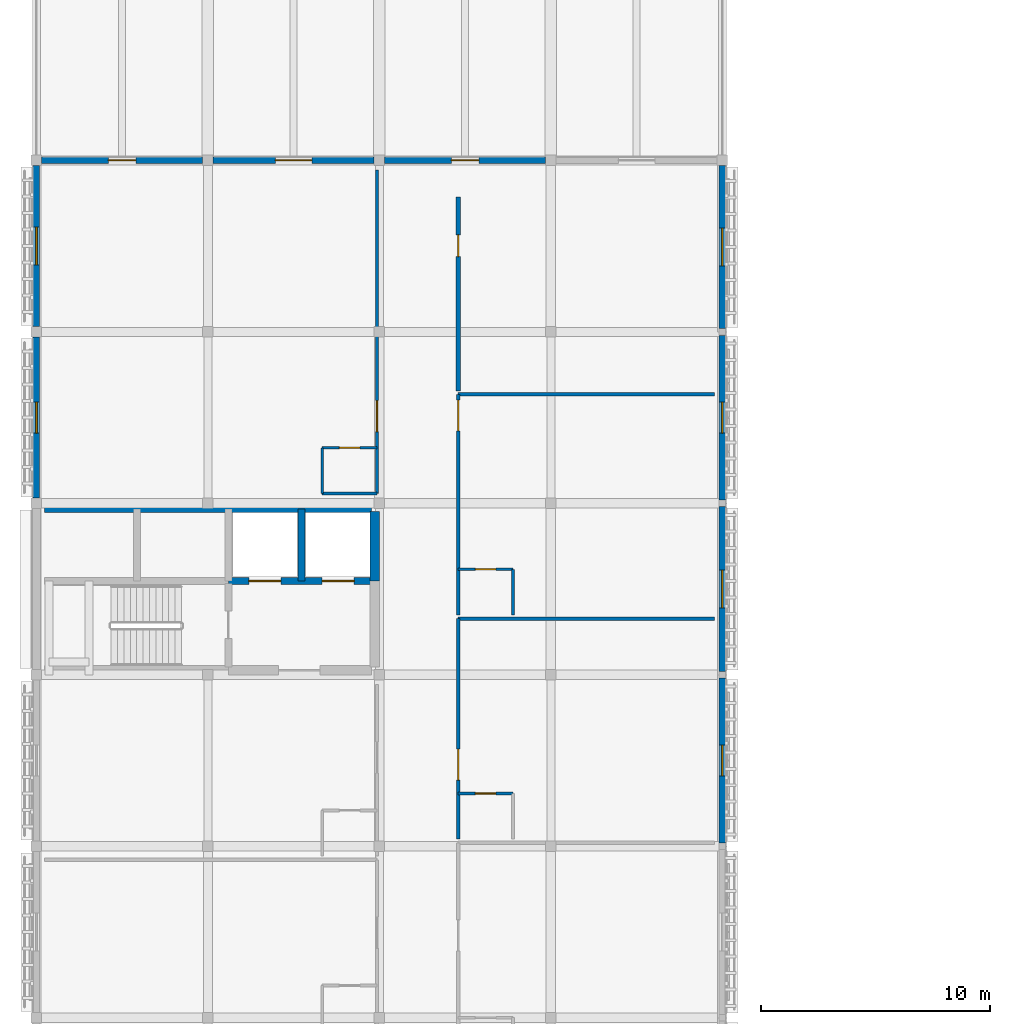
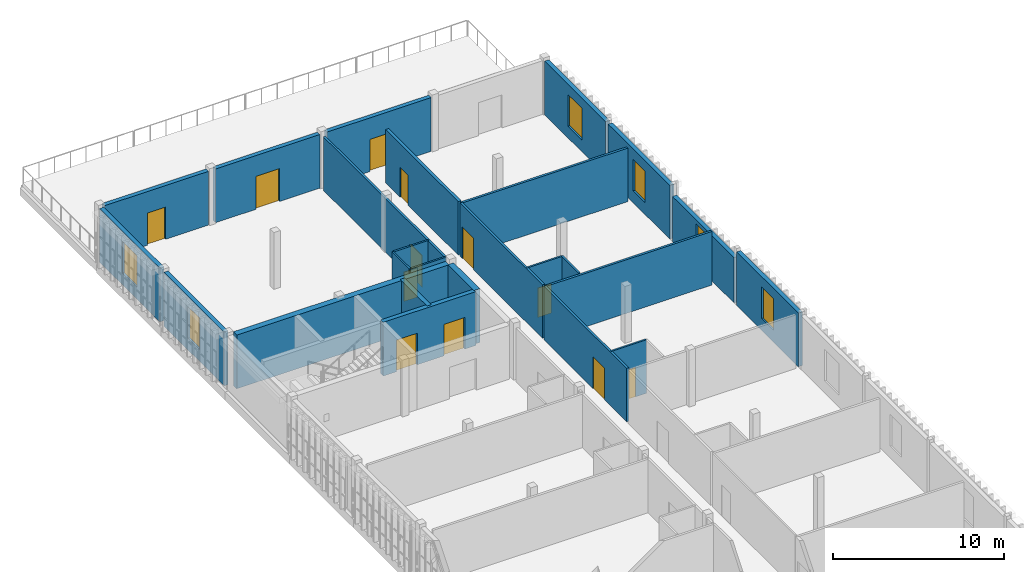
# One storey, part 5 of 13: 25 walls, 12 doors, 6 windows, 18 openings.
"""IFC4 building model written with IfcOpenShell, lengths in metres."""

from ifc_helpers import new_model, si_unit, direction, frame, frame_2d, origin, place, context, subcontext, project, spatial, rectangle, extrude, material, layer, layer_set, type_object, element, fill, save


model = new_model("IFC4")

# Units and contexts
model_context = context("Model", 3, precision=1e-05, world=origin(), true_north=direction((0.0, 1.0)))
body_context = subcontext(model_context, "Body", "Model", "MODEL_VIEW")
ifc_project = project(units=[si_unit("LENGTHUNIT", "METRE"), si_unit("AREAUNIT", "SQUARE_METRE"), si_unit("VOLUMEUNIT", "CUBIC_METRE"), si_unit("PLANEANGLEUNIT", "RADIAN"), si_unit("MASSUNIT", "GRAM", prefix="KILO")], contexts=[model_context])

# Site, building, storey
site_placement = place(None, origin())
site = spatial("IfcSite", under=ifc_project, at=site_placement, CompositionType="ELEMENT")
building_placement = place(site_placement, origin())
building = spatial("IfcBuilding", under=site, at=building_placement, Name="Dalvernix Boulevard General Hospital", CompositionType="ELEMENT")
storey_placement = place(building_placement, frame((0.0, 0.0, 30.0)))
storey = spatial("IfcBuildingStorey", under=building, at=storey_placement, Name="L07", CompositionType="ELEMENT", Elevation=30.0)

# Walls
ifc_material_1 = material(Name="Concrete C40/50", Category="concrete")
ifc_layer_1 = layer(ifc_material_1, 0.39990234375)
ifc_layer_set_1 = layer_set([ifc_layer_1], Name="Concrete C40/50 (WAL-CSW-01)")
wall_type_1 = type_object("IfcWallType", Name="WAL-CSW-01", PredefinedType="SHEAR", material=ifc_layer_set_1)
wall_1_placement = place(storey_placement, frame((0.35009765625, 61.300048828125, 0.0), z_axis=(0.0, 0.0, 1.0), x_axis=(1.0, 0.0, 0.0)))
element("IfcWall", 1, at=wall_1_placement, inside=storey, type_object=wall_type_1, Name="L07 C2 north shaft core wall", PredefinedType="SHEAR", context=body_context, shape_type="SweptSolid", body=[
    extrude(rectangle(XDim=14.2998046875, YDim=0.39990234375, at=frame_2d((7.14990234375, 0.0))), origin(), (0.0, 0.0, 1.0), 3.830078125),
])
wall_2_placement = place(storey_placement, frame((14.800048828125, 58.10009765625, 0.0), z_axis=(0.0, 0.0, 1.0), x_axis=(0.0, 1.0, 0.0)))
element("IfcWall", 2, at=wall_2_placement, inside=storey, type_object=wall_type_1, Name="L07 C2 east shaft core wall", PredefinedType="SHEAR", context=body_context, shape_type="SweptSolid", body=[
    extrude(rectangle(XDim=3.0498046875, YDim=0.39990234375, at=frame_2d((1.52490234375, 0.0))), origin(), (0.0, 0.0, 1.0), 3.830078125),
])

# Wall, openings, doors
ifc_layer_2 = layer(ifc_material_1, 0.300048828125)
ifc_layer_set_2 = layer_set([ifc_layer_2], Name="Concrete C40/50 (WAL-CSW-02)")
wall_type_2 = type_object("IfcWallType", Name="WAL-CSW-02", PredefinedType="SHEAR", material=ifc_layer_set_2)
wall_3_placement = place(storey_placement, frame((8.39990234375, 58.10009765625, 0.0), z_axis=(0.0, 0.0, 1.0), x_axis=(1.0, 0.0, 0.0)))
wall_3 = element("IfcWall", 3, at=wall_3_placement, inside=storey, type_object=wall_type_2, Name="L07 C2 lift shaft front wall", PredefinedType="SHEAR", context=body_context, shape_type="SweptSolid", body=[
    extrude(rectangle(XDim=6.25, YDim=0.300048828125, at=frame_2d((3.125, 0.0))), origin(), (0.0, 0.0, 1.0), 3.830078125),
])
opening_1_placement = place(wall_3_placement, frame((0.89990234375, 0.0, 0.0)))
opening_1 = element("IfcOpeningElement", 4, at=opening_1_placement, cuts=wall_3, Name="Opening LD-FFL-03-L07", PredefinedType="OPENING", context=body_context, shape_type="SweptSolid", body=[
    extrude(rectangle(XDim=1.39990234375, YDim=2.25, at=frame_2d((0.699951171875, 1.125))), frame((0.0, 0.159912109375, 0.0), z_axis=(0.0, -1.0, 0.0), x_axis=(1.0, 0.0, 0.0)), (0.0, 0.0, 1.0), 0.320068359375),
])
opening_2_placement = place(wall_3_placement, frame((4.10009765625, 0.0, 0.0)))
opening_2 = element("IfcOpeningElement", 5, at=opening_2_placement, cuts=wall_3, Name="Opening LD-FFL-04-L07", PredefinedType="OPENING", context=body_context, shape_type="SweptSolid", body=[
    extrude(rectangle(XDim=1.39990234375, YDim=2.25, at=frame_2d((0.699951171875, 1.125))), frame((0.0, 0.159912109375, 0.0), z_axis=(0.0, -1.0, 0.0), x_axis=(1.0, 0.0, 0.0)), (0.0, 0.0, 1.0), 0.320068359375),
])
ifc_material_2 = material(Name="Stainless-clad steel", Category="steel")
door_type_1 = type_object("IfcDoorType", Name="DR-LD-01", OperationType="DOUBLE_DOOR_SLIDING", PredefinedType="DOOR", material=ifc_material_2)
door_1_placement = place(opening_1_placement, origin())
door_1 = element("IfcDoor", 6, at=door_1_placement, inside=storey, type_object=door_type_1, Name="L07 Lift FFL-03 sliding landing door", OperationType="DOUBLE_DOOR_SLIDING", OverallHeight=2.25, OverallWidth=1.39990234375, PredefinedType="DOOR", context=body_context, shape_type="SweptSolid", body=[
    extrude(rectangle(XDim=1.39990234375, YDim=2.25, at=frame_2d((0.699951171875, 1.125))), frame((0.0, 0.02490234375, 0.0), z_axis=(0.0, -1.0, 0.0), x_axis=(1.0, 0.0, 0.0)), (0.0, 0.0, 1.0), 0.050048828125),
])
fill(opening_1, door_1)
door_2_placement = place(opening_2_placement, origin())
door_2 = element("IfcDoor", 7, at=door_2_placement, inside=storey, type_object=door_type_1, Name="L07 Lift FFL-04 sliding landing door", OperationType="DOUBLE_DOOR_SLIDING", OverallHeight=2.25, OverallWidth=1.39990234375, PredefinedType="DOOR", context=body_context, shape_type="SweptSolid", body=[
    extrude(rectangle(XDim=1.39990234375, YDim=2.25, at=frame_2d((0.699951171875, 1.125))), frame((0.0, 0.02490234375, 0.0), z_axis=(0.0, -1.0, 0.0), x_axis=(1.0, 0.0, 0.0)), (0.0, 0.0, 1.0), 0.050048828125),
])
fill(opening_2, door_2)

# Wall
wall_4_placement = place(storey_placement, frame((11.60009765625, 58.10009765625, 0.0), z_axis=(0.0, 0.0, 1.0), x_axis=(0.0, 1.0, 0.0)))
element("IfcWall", 8, at=wall_4_placement, inside=storey, type_object=wall_type_2, Name="L07 C2 shaft divider L1", PredefinedType="SHEAR", context=body_context, shape_type="SweptSolid", body=[
    extrude(rectangle(XDim=3.14990234375, YDim=0.300048828125, at=frame_2d((1.574951171875, 0.0))), origin(), (0.0, 0.0, 1.0), 3.830078125),
])

# Wall, opening, window
ifc_material_3 = material(Name="Screened upper-ward insulated masonry cavity wall C35/45", Category="masonry")
ifc_layer_3 = layer(ifc_material_3, 0.280029296875)
ifc_layer_set_3 = layer_set([ifc_layer_3], Name="Screened upper-ward insulated masonry cavity wall C35/45 (WAL-EW-03)")
wall_type_3 = type_object("IfcWallType", Name="WAL-EW-03", PredefinedType="STANDARD", material=ifc_layer_set_3)
wall_5_placement = place(storey_placement, frame((0.0, 61.735107421875, 0.0), z_axis=(0.0, 0.0, 1.0), x_axis=(0.0, 1.0, 0.0)))
wall_5 = element("IfcWall", 9, at=wall_5_placement, inside=storey, type_object=wall_type_3, Name="L07 Catalan brick external wall W 0-8", PredefinedType="STANDARD", context=body_context, shape_type="SweptSolid", body=[
    extrude(rectangle(XDim=7.02978515625, YDim=0.280029296875, at=frame_2d((3.514892578125, 0.0))), origin(), (0.0, 0.0, 1.0), 3.830078125),
])
opening_3_placement = place(wall_5_placement, frame((2.840087890625, 0.0, 0.85009765625)))
opening_3 = element("IfcOpeningElement", 10, at=opening_3_placement, cuts=wall_5, Name="Opening WN-19", PredefinedType="OPENING", context=body_context, shape_type="SweptSolid", body=[
    extrude(rectangle(XDim=1.35009765625, YDim=2.25, at=frame_2d((0.675048828125, 1.125))), frame((0.0, 0.14990234375, 0.0), z_axis=(0.0, -1.0, 0.0), x_axis=(1.0, 0.0, 0.0)), (0.0, 0.0, 1.0), 0.300048828125),
])
ifc_material_4 = material(Name="Thermally broken aluminium frame with solar-control double glazing", Category="aluminium")
window_type_1 = type_object("IfcWindowType", Name="WIN-WN-19", PartitioningType="SINGLE_PANEL", PredefinedType="WINDOW", material=ifc_material_4)
window_1_placement = place(opening_3_placement, origin())
window_1 = element("IfcWindow", 11, at=window_1_placement, inside=storey, type_object=window_type_1, Name="L07 clinical window WN-19 W 0-8", OverallHeight=2.25, OverallWidth=1.35009765625, PartitioningType="SINGLE_PANEL", PredefinedType="WINDOW", context=body_context, shape_type="SweptSolid", body=[
    extrude(rectangle(XDim=1.35009765625, YDim=2.25, at=frame_2d((0.675048828125, 1.125))), frame((0.0, 0.030029296875, 0.0), z_axis=(0.0, -1.0, 0.0), x_axis=(1.0, 0.0, 0.0)), (0.0, 0.0, 1.0), 0.06005859375),
])
fill(opening_3, window_1)

# Wall, opening, door
wall_6_placement = place(storey_placement, frame((0.235107421875, 76.5, 0.0), z_axis=(0.0, 0.0, 1.0), x_axis=(1.0, 0.0, 0.0)))
wall_6 = element("IfcWall", 12, at=wall_6_placement, inside=storey, type_object=wall_type_3, Name="L07 Catalan brick external wall N 0-10", PredefinedType="STANDARD", context=body_context, shape_type="SweptSolid", body=[
    extrude(rectangle(XDim=7.02978515625, YDim=0.280029296875, at=frame_2d((3.514892578125, 0.0))), origin(), (0.0, 0.0, 1.0), 3.830078125),
])
opening_4_placement = place(wall_6_placement, frame((2.9150390625, 0.0, 0.0)))
opening_4 = element("IfcOpeningElement", 13, at=opening_4_placement, cuts=wall_6, Name="Opening TD-12", PredefinedType="OPENING", context=body_context, shape_type="SweptSolid", body=[
    extrude(rectangle(XDim=1.199951171875, YDim=2.300048828125, at=frame_2d((0.60009765625, 1.14990234375))), frame((0.0, 0.14990234375, 0.0), z_axis=(0.0, -1.0, 0.0), x_axis=(1.0, 0.0, 0.0)), (0.0, 0.0, 1.0), 0.300048828125),
])
ifc_material_5 = material(Name="Powder-coated aluminium and laminated safety glass", Category="aluminium")
door_type_2 = type_object("IfcDoorType", Name="DR-TD-12", OperationType="NOTDEFINED", PredefinedType="DOOR", material=ifc_material_5)
door_3_placement = place(opening_4_placement, origin())
door_3 = element("IfcDoor", 14, at=door_3_placement, inside=storey, type_object=door_type_2, Name="L07 ward terrace access door N 0-10", OperationType="SINGLE_SWING_LEFT", OverallHeight=2.300048828125, OverallWidth=1.199951171875, PredefinedType="DOOR", context=body_context, shape_type="SweptSolid", body=[
    extrude(rectangle(XDim=1.199951171875, YDim=2.300048828125, at=frame_2d((0.60009765625, 1.14990234375))), frame((0.0, 0.02490234375, 0.0), z_axis=(0.0, -1.0, 0.0), x_axis=(1.0, 0.0, 0.0)), (0.0, 0.0, 1.0), 0.050048828125),
])
fill(opening_4, door_3)

# Wall, opening, window
wall_7_placement = place(storey_placement, frame((0.0, 69.235107421875, 0.0), z_axis=(0.0, 0.0, 1.0), x_axis=(0.0, 1.0, 0.0)))
wall_7 = element("IfcWall", 15, at=wall_7_placement, inside=storey, type_object=wall_type_3, Name="L07 Catalan brick external wall W 0-9", PredefinedType="STANDARD", context=body_context, shape_type="SweptSolid", body=[
    extrude(rectangle(XDim=7.02978515625, YDim=0.280029296875, at=frame_2d((3.514892578125, 0.0))), origin(), (0.0, 0.0, 1.0), 3.830078125),
])
opening_5_placement = place(wall_7_placement, frame((2.68994140625, 0.0, 0.85009765625)))
opening_5 = element("IfcOpeningElement", 16, at=opening_5_placement, cuts=wall_7, Name="Opening WN-20", PredefinedType="OPENING", context=body_context, shape_type="SweptSolid", body=[
    extrude(rectangle(XDim=1.64990234375, YDim=2.25, at=frame_2d((0.824951171875, 1.125))), frame((0.0, 0.14990234375, 0.0), z_axis=(0.0, -1.0, 0.0), x_axis=(1.0, 0.0, 0.0)), (0.0, 0.0, 1.0), 0.300048828125),
])
window_type_2 = type_object("IfcWindowType", Name="WIN-WN-20", PartitioningType="SINGLE_PANEL", PredefinedType="WINDOW", material=ifc_material_4)
window_2_placement = place(opening_5_placement, origin())
window_2 = element("IfcWindow", 17, at=window_2_placement, inside=storey, type_object=window_type_2, Name="L07 clinical window WN-20 W 0-9", OverallHeight=2.25, OverallWidth=1.64990234375, PartitioningType="SINGLE_PANEL", PredefinedType="WINDOW", context=body_context, shape_type="SweptSolid", body=[
    extrude(rectangle(XDim=1.64990234375, YDim=2.25, at=frame_2d((0.824951171875, 1.125))), frame((0.0, 0.030029296875, 0.0), z_axis=(0.0, -1.0, 0.0), x_axis=(1.0, 0.0, 0.0)), (0.0, 0.0, 1.0), 0.06005859375),
])
fill(opening_5, window_2)

# Wall, opening, door
wall_8_placement = place(storey_placement, frame((7.735107421875, 76.5, 0.0), z_axis=(0.0, 0.0, 1.0), x_axis=(1.0, 0.0, 0.0)))
wall_8 = element("IfcWall", 18, at=wall_8_placement, inside=storey, type_object=wall_type_3, Name="L07 Catalan brick external wall N 1-10", PredefinedType="STANDARD", context=body_context, shape_type="SweptSolid", body=[
    extrude(rectangle(XDim=7.02978515625, YDim=0.280029296875, at=frame_2d((3.514892578125, 0.0))), origin(), (0.0, 0.0, 1.0), 3.830078125),
])
opening_6_placement = place(wall_8_placement, frame((2.715087890625, 0.0, 0.0)))
opening_6 = element("IfcOpeningElement", 19, at=opening_6_placement, cuts=wall_8, Name="Opening TD-16", PredefinedType="OPENING", context=body_context, shape_type="SweptSolid", body=[
    extrude(rectangle(XDim=1.60009765625, YDim=2.35009765625, at=frame_2d((0.800048828125, 1.175048828125))), frame((0.0, 0.14990234375, 0.0), z_axis=(0.0, -1.0, 0.0), x_axis=(1.0, 0.0, 0.0)), (0.0, 0.0, 1.0), 0.300048828125),
])
door_type_3 = type_object("IfcDoorType", Name="DR-TD-16", OperationType="DOUBLE_DOOR_SINGLE_SWING", PredefinedType="DOOR", material=ifc_material_5)
door_4_placement = place(opening_6_placement, origin())
door_4 = element("IfcDoor", 20, at=door_4_placement, inside=storey, type_object=door_type_3, Name="L07 ward terrace access door N 1-10", OperationType="DOUBLE_DOOR_SINGLE_SWING", OverallHeight=2.35009765625, OverallWidth=1.60009765625, PredefinedType="DOOR", context=body_context, shape_type="SweptSolid", body=[
    extrude(rectangle(XDim=1.60009765625, YDim=2.35009765625, at=frame_2d((0.800048828125, 1.175048828125))), frame((0.0, 0.02490234375, 0.0), z_axis=(0.0, -1.0, 0.0), x_axis=(1.0, 0.0, 0.0)), (0.0, 0.0, 1.0), 0.050048828125),
])
fill(opening_6, door_4)

wall_9_placement = place(storey_placement, frame((15.235107421875, 76.5, 0.0), z_axis=(0.0, 0.0, 1.0), x_axis=(1.0, 0.0, 0.0)))
wall_9 = element("IfcWall", 21, at=wall_9_placement, inside=storey, type_object=wall_type_3, Name="L07 Catalan brick external wall N 2-10", PredefinedType="STANDARD", context=body_context, shape_type="SweptSolid", body=[
    extrude(rectangle(XDim=7.02978515625, YDim=0.280029296875, at=frame_2d((3.514892578125, 0.0))), origin(), (0.0, 0.0, 1.0), 3.830078125),
])
opening_7_placement = place(wall_9_placement, frame((2.9150390625, 0.0, 0.0)))
opening_7 = element("IfcOpeningElement", 22, at=opening_7_placement, cuts=wall_9, Name="Opening TD-12", PredefinedType="OPENING", context=body_context, shape_type="SweptSolid", body=[
    extrude(rectangle(XDim=1.199951171875, YDim=2.300048828125, at=frame_2d((0.60009765625, 1.14990234375))), frame((0.0, 0.14990234375, 0.0), z_axis=(0.0, -1.0, 0.0), x_axis=(1.0, 0.0, 0.0)), (0.0, 0.0, 1.0), 0.300048828125),
])
door_5_placement = place(opening_7_placement, origin())
door_5 = element("IfcDoor", 23, at=door_5_placement, inside=storey, type_object=door_type_2, Name="L07 ward terrace access door N 2-10", OperationType="SINGLE_SWING_LEFT", OverallHeight=2.300048828125, OverallWidth=1.199951171875, PredefinedType="DOOR", context=body_context, shape_type="SweptSolid", body=[
    extrude(rectangle(XDim=1.199951171875, YDim=2.300048828125, at=frame_2d((0.60009765625, 1.14990234375))), frame((0.0, 0.02490234375, 0.0), z_axis=(0.0, -1.0, 0.0), x_axis=(1.0, 0.0, 0.0)), (0.0, 0.0, 1.0), 0.050048828125),
])
fill(opening_7, door_5)

# Wall, opening, window
wall_10_placement = place(storey_placement, frame((30.0, 53.85009765625, 0.0), z_axis=(0.0, 0.0, 1.0), x_axis=(0.0, -1.0, 0.0)))
wall_10 = element("IfcWall", 24, at=wall_10_placement, inside=storey, type_object=wall_type_3, Name="L07 Catalan brick external wall E 4-6", PredefinedType="STANDARD", context=body_context, shape_type="SweptSolid", body=[
    extrude(rectangle(XDim=7.2001953125, YDim=0.280029296875, at=frame_2d((3.60009765625, 0.0))), origin(), (0.0, 0.0, 1.0), 3.830078125),
])
opening_8_placement = place(wall_10_placement, frame((2.925048828125, 0.0, 0.85009765625)))
opening_8 = element("IfcOpeningElement", 25, at=opening_8_placement, cuts=wall_10, Name="Opening WN-19", PredefinedType="OPENING", context=body_context, shape_type="SweptSolid", body=[
    extrude(rectangle(XDim=1.35009765625, YDim=2.25, at=frame_2d((0.675048828125, 1.125))), frame((0.0, 0.14990234375, 0.0), z_axis=(0.0, -1.0, 0.0), x_axis=(1.0, 0.0, 0.0)), (0.0, 0.0, 1.0), 0.300048828125),
])
window_3_placement = place(opening_8_placement, origin())
window_3 = element("IfcWindow", 26, at=window_3_placement, inside=storey, type_object=window_type_1, Name="L07 clinical window WN-19 E 4-6", OverallHeight=2.25, OverallWidth=1.35009765625, PartitioningType="SINGLE_PANEL", PredefinedType="WINDOW", context=body_context, shape_type="SweptSolid", body=[
    extrude(rectangle(XDim=1.35009765625, YDim=2.25, at=frame_2d((0.675048828125, 1.125))), frame((0.0, 0.030029296875, 0.0), z_axis=(0.0, -1.0, 0.0), x_axis=(1.0, 0.0, 0.0)), (0.0, 0.0, 1.0), 0.06005859375),
])
fill(opening_8, window_3)

wall_11_placement = place(storey_placement, frame((30.0, 61.35009765625, 0.0), z_axis=(0.0, 0.0, 1.0), x_axis=(0.0, -1.0, 0.0)))
wall_11 = element("IfcWall", 27, at=wall_11_placement, inside=storey, type_object=wall_type_3, Name="L07 Catalan brick external wall E 4-7", PredefinedType="STANDARD", context=body_context, shape_type="SweptSolid", body=[
    extrude(rectangle(XDim=7.2001953125, YDim=0.280029296875, at=frame_2d((3.60009765625, 0.0))), origin(), (0.0, 0.0, 1.0), 3.22998046875),
])
opening_9_placement = place(wall_11_placement, frame((2.77490234375, 0.0, 0.85009765625)))
opening_9 = element("IfcOpeningElement", 28, at=opening_9_placement, cuts=wall_11, Name="Opening WN-20", PredefinedType="OPENING", context=body_context, shape_type="SweptSolid", body=[
    extrude(rectangle(XDim=1.64990234375, YDim=2.10009765625, at=frame_2d((0.824951171875, 1.050048828125))), frame((0.0, 0.14990234375, 0.0), z_axis=(0.0, -1.0, 0.0), x_axis=(1.0, 0.0, 0.0)), (0.0, 0.0, 1.0), 0.300048828125),
])
window_4_placement = place(opening_9_placement, origin())
window_4 = element("IfcWindow", 29, at=window_4_placement, inside=storey, type_object=window_type_2, Name="L07 clinical window WN-20 E 4-7", OverallHeight=2.10009765625, OverallWidth=1.64990234375, PartitioningType="SINGLE_PANEL", PredefinedType="WINDOW", context=body_context, shape_type="SweptSolid", body=[
    extrude(rectangle(XDim=1.64990234375, YDim=2.10009765625, at=frame_2d((0.824951171875, 1.050048828125))), frame((0.0, 0.030029296875, 0.0), z_axis=(0.0, -1.0, 0.0), x_axis=(1.0, 0.0, 0.0)), (0.0, 0.0, 1.0), 0.06005859375),
])
fill(opening_9, window_4)

wall_12_placement = place(storey_placement, frame((30.0, 68.85009765625, 0.0), z_axis=(0.0, 0.0, 1.0), x_axis=(0.0, -1.0, 0.0)))
wall_12 = element("IfcWall", 30, at=wall_12_placement, inside=storey, type_object=wall_type_3, Name="L07 Catalan brick external wall E 4-8", PredefinedType="STANDARD", context=body_context, shape_type="SweptSolid", body=[
    extrude(rectangle(XDim=7.2001953125, YDim=0.280029296875, at=frame_2d((3.60009765625, 0.0))), origin(), (0.0, 0.0, 1.0), 3.830078125),
])
opening_10_placement = place(wall_12_placement, frame((2.925048828125, 0.0, 0.85009765625)))
opening_10 = element("IfcOpeningElement", 31, at=opening_10_placement, cuts=wall_12, Name="Opening WN-19", PredefinedType="OPENING", context=body_context, shape_type="SweptSolid", body=[
    extrude(rectangle(XDim=1.35009765625, YDim=2.25, at=frame_2d((0.675048828125, 1.125))), frame((0.0, 0.14990234375, 0.0), z_axis=(0.0, -1.0, 0.0), x_axis=(1.0, 0.0, 0.0)), (0.0, 0.0, 1.0), 0.300048828125),
])
window_5_placement = place(opening_10_placement, origin())
window_5 = element("IfcWindow", 32, at=window_5_placement, inside=storey, type_object=window_type_1, Name="L07 clinical window WN-19 E 4-8", OverallHeight=2.25, OverallWidth=1.35009765625, PartitioningType="SINGLE_PANEL", PredefinedType="WINDOW", context=body_context, shape_type="SweptSolid", body=[
    extrude(rectangle(XDim=1.35009765625, YDim=2.25, at=frame_2d((0.675048828125, 1.125))), frame((0.0, 0.030029296875, 0.0), z_axis=(0.0, -1.0, 0.0), x_axis=(1.0, 0.0, 0.0)), (0.0, 0.0, 1.0), 0.06005859375),
])
fill(opening_10, window_5)

wall_13_placement = place(storey_placement, frame((30.0, 76.264892578125, 0.0), z_axis=(0.0, 0.0, 1.0), x_axis=(0.0, -1.0, 0.0)))
wall_13 = element("IfcWall", 33, at=wall_13_placement, inside=storey, type_object=wall_type_3, Name="L07 Catalan brick external wall E 4-9", PredefinedType="STANDARD", context=body_context, shape_type="SweptSolid", body=[
    extrude(rectangle(XDim=7.114990234375, YDim=0.280029296875, at=frame_2d((3.5576171875, 0.0))), origin(), (0.0, 0.0, 1.0), 3.830078125),
])
opening_11_placement = place(wall_13_placement, frame((2.732421875, 0.0, 0.85009765625)))
opening_11 = element("IfcOpeningElement", 34, at=opening_11_placement, cuts=wall_13, Name="Opening WN-20", PredefinedType="OPENING", context=body_context, shape_type="SweptSolid", body=[
    extrude(rectangle(XDim=1.64990234375, YDim=2.25, at=frame_2d((0.824951171875, 1.125))), frame((0.0, 0.14990234375, 0.0), z_axis=(0.0, -1.0, 0.0), x_axis=(1.0, 0.0, 0.0)), (0.0, 0.0, 1.0), 0.300048828125),
])
window_6_placement = place(opening_11_placement, origin())
window_6 = element("IfcWindow", 35, at=window_6_placement, inside=storey, type_object=window_type_2, Name="L07 clinical window WN-20 E 4-9", OverallHeight=2.25, OverallWidth=1.64990234375, PartitioningType="SINGLE_PANEL", PredefinedType="WINDOW", context=body_context, shape_type="SweptSolid", body=[
    extrude(rectangle(XDim=1.64990234375, YDim=2.25, at=frame_2d((0.824951171875, 1.125))), frame((0.0, 0.030029296875, 0.0), z_axis=(0.0, -1.0, 0.0), x_axis=(1.0, 0.0, 0.0)), (0.0, 0.0, 1.0), 0.06005859375),
])
fill(opening_11, window_6)

# Wall, opening, door
ifc_material_6 = material(Name="Fire-compartment corridor masonry wall", Category="masonry")
ifc_layer_4 = layer(ifc_material_6, 0.199951171875)
ifc_layer_set_4 = layer_set([ifc_layer_4], Name="Fire-compartment corridor masonry wall (WAL-IW-02)")
wall_type_4 = type_object("IfcWallType", Name="WAL-IW-02", PredefinedType="STANDARD", material=ifc_layer_set_4)
wall_14_placement = place(storey_placement, frame((18.449951171875, 74.89990234375, 0.0), z_axis=(0.0, 0.0, 1.0), x_axis=(0.0, -1.0, 0.0)))
wall_14 = element("IfcWall", 36, at=wall_14_placement, inside=storey, type_object=wall_type_4, Name="L07 Staff WC and Clean Utility L07 corridor wall", PredefinedType="STANDARD", context=body_context, shape_type="SweptSolid", body=[
    extrude(rectangle(XDim=8.47705078125, YDim=0.199951171875, at=frame_2d((4.238525390625, 0.0))), origin(), (0.0, 0.0, 1.0), 3.81494140625),
])
opening_12_placement = place(wall_14_placement, frame((1.655517578125, 0.0, 0.0)))
opening_12 = element("IfcOpeningElement", 37, at=opening_12_placement, cuts=wall_14, Name="Opening ID-06", PredefinedType="OPENING", context=body_context, shape_type="SweptSolid", body=[
    extrude(rectangle(XDim=0.949951171875, YDim=2.14990234375, at=frame_2d((0.47509765625, 1.074951171875))), frame((0.0, 0.10986328125, 0.0), z_axis=(0.0, -1.0, 0.0), x_axis=(1.0, 0.0, 0.0)), (0.0, 0.0, 1.0), 0.219970703125),
])
ifc_material_7 = material(Name="Hospital laminate acoustic timber and steel frame", Category="steel")
door_type_4 = type_object("IfcDoorType", Name="DR-ID-06", OperationType="NOTDEFINED", PredefinedType="DOOR", material=ifc_material_7)
door_6_placement = place(opening_12_placement, origin())
door_6 = element("IfcDoor", 38, at=door_6_placement, inside=storey, type_object=door_type_4, Name="L07 Staff WC and Clean Utility L07 door", OperationType="SINGLE_SWING_LEFT", OverallHeight=2.14990234375, OverallWidth=0.949951171875, PredefinedType="DOOR", context=body_context, shape_type="SweptSolid", body=[
    extrude(rectangle(XDim=0.949951171875, YDim=2.14990234375, at=frame_2d((0.47509765625, 1.074951171875))), frame((0.0, 0.02490234375, 0.0), z_axis=(0.0, -1.0, 0.0), x_axis=(1.0, 0.0, 0.0)), (0.0, 0.0, 1.0), 0.050048828125),
])
fill(opening_12, door_6)

ifc_material_8 = material(Name="Acoustic double-stud gypsum inpatient partition")
ifc_layer_5 = layer(ifc_material_8, 0.14990234375)
ifc_layer_set_5 = layer_set([ifc_layer_5], Name="Acoustic double-stud gypsum inpatient partition (WAL-IW-04)")
wall_type_5 = type_object("IfcWallType", Name="WAL-IW-04", PredefinedType="PARTITIONING", material=ifc_layer_set_5)
wall_15_placement = place(storey_placement, frame((14.89990234375, 61.929931640625, 0.0), z_axis=(0.0, 0.0, 1.0), x_axis=(0.0, 1.0, 0.0)))
wall_15 = element("IfcWall", 39, at=wall_15_placement, inside=storey, type_object=wall_type_5, Name="L07 Rehabilitation Single Patient Room L07-W06 corridor wall", PredefinedType="PARTITIONING", context=body_context, shape_type="SweptSolid", body=[
    extrude(rectangle(XDim=14.14013671875, YDim=0.14990234375, at=frame_2d((7.070068359375, 0.0))), origin(), (0.0, 0.0, 1.0), 3.81494140625),
])
opening_13_placement = place(wall_15_placement, frame((2.7080078125, 0.0, 0.0)))
opening_13 = element("IfcOpeningElement", 40, at=opening_13_placement, cuts=wall_15, Name="Opening ID-01", PredefinedType="OPENING", context=body_context, shape_type="SweptSolid", body=[
    extrude(rectangle(XDim=1.35009765625, YDim=2.25, at=frame_2d((0.675048828125, 1.125))), frame((0.0, 0.0849609375, 0.0), z_axis=(0.0, -1.0, 0.0), x_axis=(1.0, 0.0, 0.0)), (0.0, 0.0, 1.0), 0.169921875),
])
door_type_5 = type_object("IfcDoorType", Name="DR-ID-01", OperationType="NOTDEFINED", PredefinedType="DOOR", material=ifc_material_7)
door_7_placement = place(opening_13_placement, origin())
door_7 = element("IfcDoor", 41, at=door_7_placement, inside=storey, type_object=door_type_5, Name="L07 Rehabilitation Single Patient Room L07-W06 door", OperationType="SINGLE_SWING_RIGHT", OverallHeight=2.25, OverallWidth=1.35009765625, PredefinedType="DOOR", context=body_context, shape_type="SweptSolid", body=[
    extrude(rectangle(XDim=1.35009765625, YDim=2.25, at=frame_2d((0.675048828125, 1.125))), frame((0.0, 0.02490234375, 0.0), z_axis=(0.0, -1.0, 0.0), x_axis=(1.0, 0.0, 0.0)), (0.0, 0.0, 1.0), 0.050048828125),
])
fill(opening_13, door_7)

wall_16_placement = place(storey_placement, frame((18.449951171875, 56.455810546875, 0.0), z_axis=(0.0, 0.0, 1.0), x_axis=(0.0, -1.0, 0.0)))
wall_16 = element("IfcWall", 42, at=wall_16_placement, inside=storey, type_object=wall_type_5, Name="L07 Single Patient Room L07-E04 corridor wall", PredefinedType="PARTITIONING", context=body_context, shape_type="SweptSolid", body=[
    extrude(rectangle(XDim=9.647216796875, YDim=0.14990234375, at=frame_2d((4.82373046875, 0.0))), origin(), (0.0, 0.0, 1.0), 3.81494140625),
])
opening_14_placement = place(wall_16_placement, frame((5.7080078125, 0.0, 0.0)))
opening_14 = element("IfcOpeningElement", 43, at=opening_14_placement, cuts=wall_16, Name="Opening ID-01", PredefinedType="OPENING", context=body_context, shape_type="SweptSolid", body=[
    extrude(rectangle(XDim=1.35009765625, YDim=2.25, at=frame_2d((0.675048828125, 1.125))), frame((0.0, 0.0849609375, 0.0), z_axis=(0.0, -1.0, 0.0), x_axis=(1.0, 0.0, 0.0)), (0.0, 0.0, 1.0), 0.169921875),
])
door_8_placement = place(opening_14_placement, origin())
door_8 = element("IfcDoor", 44, at=door_8_placement, inside=storey, type_object=door_type_5, Name="L07 Single Patient Room L07-E04 door", OperationType="SINGLE_SWING_LEFT", OverallHeight=2.25, OverallWidth=1.35009765625, PredefinedType="DOOR", context=body_context, shape_type="SweptSolid", body=[
    extrude(rectangle(XDim=1.35009765625, YDim=2.25, at=frame_2d((0.675048828125, 1.125))), frame((0.0, 0.02490234375, 0.0), z_axis=(0.0, -1.0, 0.0), x_axis=(1.0, 0.0, 0.0)), (0.0, 0.0, 1.0), 0.050048828125),
])
fill(opening_14, door_8)

wall_17_placement = place(storey_placement, frame((18.449951171875, 66.262939453125, 0.0), z_axis=(0.0, 0.0, 1.0), x_axis=(0.0, -1.0, 0.0)))
wall_17 = element("IfcWall", 45, at=wall_17_placement, inside=storey, type_object=wall_type_5, Name="L07 Single Patient Room L07-E05 corridor wall", PredefinedType="PARTITIONING", context=body_context, shape_type="SweptSolid", body=[
    extrude(rectangle(XDim=9.647216796875, YDim=0.14990234375, at=frame_2d((4.82373046875, 0.0))), origin(), (0.0, 0.0, 1.0), 3.81494140625),
])
opening_15_placement = place(wall_17_placement, frame((0.25, 0.0, 0.0)))
opening_15 = element("IfcOpeningElement", 46, at=opening_15_placement, cuts=wall_17, Name="Opening ID-01", PredefinedType="OPENING", context=body_context, shape_type="SweptSolid", body=[
    extrude(rectangle(XDim=1.35009765625, YDim=2.25, at=frame_2d((0.675048828125, 1.125))), frame((0.0, 0.0849609375, 0.0), z_axis=(0.0, -1.0, 0.0), x_axis=(1.0, 0.0, 0.0)), (0.0, 0.0, 1.0), 0.169921875),
])
door_9_placement = place(opening_15_placement, origin())
door_9 = element("IfcDoor", 47, at=door_9_placement, inside=storey, type_object=door_type_5, Name="L07 Single Patient Room L07-E05 door", OperationType="SINGLE_SWING_LEFT", OverallHeight=2.25, OverallWidth=1.35009765625, PredefinedType="DOOR", context=body_context, shape_type="SweptSolid", body=[
    extrude(rectangle(XDim=1.35009765625, YDim=2.25, at=frame_2d((0.675048828125, 1.125))), frame((0.0, 0.02490234375, 0.0), z_axis=(0.0, -1.0, 0.0), x_axis=(1.0, 0.0, 0.0)), (0.0, 0.0, 1.0), 0.050048828125),
])
fill(opening_15, door_9)

# Walls
for number, where, z_axis, x_axis, name in (
    (48, (18.449951171875, 56.455810546875, 0.0), (0.0, 0.0, 1.0), (1.0, 0.0, 0.0), "L07 Single Patient Room L07-E04 partition"),
    (49, (18.449951171875, 66.262939453125, 0.0), (0.0, 0.0, 1.0), (1.0, 0.0, 0.0), "L07 Single Patient Room L07-E05 partition"),
):
    element("IfcWall", number, at=place(storey_placement, frame(where, z_axis=z_axis, x_axis=x_axis)), inside=storey, type_object=wall_type_5, Name=name, PredefinedType="PARTITIONING", context=body_context, shape_type="SweptSolid", body=[
        extrude(rectangle(XDim=11.199951171875, YDim=0.14990234375, at=frame_2d((5.60009765625, 0.0))), origin(), (0.0, 0.0, 1.0), 3.81494140625),
    ])

# Wall, opening, door
ifc_material_9 = material(Name="Moisture-resistant en-suite bathroom partition")
ifc_layer_6 = layer(ifc_material_9, 0.1201171875)
ifc_layer_set_6 = layer_set([ifc_layer_6], Name="Moisture-resistant en-suite bathroom partition (WAL-IW-05)")
wall_type_6 = type_object("IfcWallType", Name="WAL-IW-05", PredefinedType="PARTITIONING", material=ifc_layer_set_6)
wall_18_placement = place(storey_placement, frame((14.89990234375, 63.929931640625, 0.0), z_axis=(0.0, 0.0, 1.0), x_axis=(-1.0, 0.0, 0.0)))
wall_18 = element("IfcWall", 50, at=wall_18_placement, inside=storey, type_object=wall_type_6, Name="L07 en-suite bathroom door wall", PredefinedType="PARTITIONING", context=body_context, shape_type="SweptSolid", body=[
    extrude(rectangle(XDim=2.39990234375, YDim=0.1201171875, at=frame_2d((1.199951171875, 0.0))), origin(), (0.0, 0.0, 1.0), 3.81494140625),
])
opening_16_placement = place(wall_18_placement, frame((0.75, 0.0, 0.0)))
opening_16 = element("IfcOpeningElement", 51, at=opening_16_placement, cuts=wall_18, Name="Opening ID-05", PredefinedType="OPENING", context=body_context, shape_type="SweptSolid", body=[
    extrude(rectangle(XDim=0.89990234375, YDim=2.10009765625, at=frame_2d((0.449951171875, 1.050048828125))), frame((0.0, 0.070068359375, 0.0), z_axis=(0.0, -1.0, 0.0), x_axis=(1.0, 0.0, 0.0)), (0.0, 0.0, 1.0), 0.14013671875),
])
door_type_6 = type_object("IfcDoorType", Name="DR-ID-05", OperationType="NOTDEFINED", PredefinedType="DOOR", material=ifc_material_7)
door_10_placement = place(opening_16_placement, origin())
door_10 = element("IfcDoor", 52, at=door_10_placement, inside=storey, type_object=door_type_6, Name="L07 L07-WRD-W06 en-suite bathroom door", OperationType="SINGLE_SWING_LEFT", OverallHeight=2.10009765625, OverallWidth=0.89990234375, PredefinedType="DOOR", context=body_context, shape_type="SweptSolid", body=[
    extrude(rectangle(XDim=0.89990234375, YDim=2.10009765625, at=frame_2d((0.449951171875, 1.050048828125))), frame((0.0, 0.02490234375, 0.0), z_axis=(0.0, -1.0, 0.0), x_axis=(1.0, 0.0, 0.0)), (0.0, 0.0, 1.0), 0.050048828125),
])
fill(opening_16, door_10)

# Wall
wall_19_placement = place(storey_placement, frame((12.5, 61.929931640625, 0.0), z_axis=(0.0, 0.0, 1.0), x_axis=(0.0, 1.0, 0.0)))
element("IfcWall", 53, at=wall_19_placement, inside=storey, type_object=wall_type_6, Name="L07 en-suite bathroom side wall", PredefinedType="PARTITIONING", context=body_context, shape_type="SweptSolid", body=[
    extrude(rectangle(XDim=2.0, YDim=0.1201171875, at=frame_2d((1.0, 0.0))), origin(), (0.0, 0.0, 1.0), 3.81494140625),
])

# Wall, opening, door
wall_20_placement = place(storey_placement, frame((20.85009765625, 48.80859375, 0.0), z_axis=(0.0, 0.0, 1.0), x_axis=(-1.0, 0.0, 0.0)))
wall_20 = element("IfcWall", 54, at=wall_20_placement, inside=storey, type_object=wall_type_6, Name="L07 en-suite bathroom door wall", PredefinedType="PARTITIONING", context=body_context, shape_type="SweptSolid", body=[
    extrude(rectangle(XDim=2.400146484375, YDim=0.1201171875, at=frame_2d((1.2001953125, 0.0))), origin(), (0.0, 0.0, 1.0), 3.81494140625),
])
opening_17_placement = place(wall_20_placement, frame((0.75, 0.0, 0.0)))
opening_17 = element("IfcOpeningElement", 55, at=opening_17_placement, cuts=wall_20, Name="Opening ID-05", PredefinedType="OPENING", context=body_context, shape_type="SweptSolid", body=[
    extrude(rectangle(XDim=0.89990234375, YDim=2.10009765625, at=frame_2d((0.449951171875, 1.050048828125))), frame((0.0, 0.070068359375, 0.0), z_axis=(0.0, -1.0, 0.0), x_axis=(1.0, 0.0, 0.0)), (0.0, 0.0, 1.0), 0.14013671875),
])
door_11_placement = place(opening_17_placement, origin())
door_11 = element("IfcDoor", 56, at=door_11_placement, inside=storey, type_object=door_type_6, Name="L07 L07-RM-E04 en-suite bathroom door", OperationType="SINGLE_SWING_RIGHT", OverallHeight=2.10009765625, OverallWidth=0.89990234375, PredefinedType="DOOR", context=body_context, shape_type="SweptSolid", body=[
    extrude(rectangle(XDim=0.89990234375, YDim=2.10009765625, at=frame_2d((0.449951171875, 1.050048828125))), frame((0.0, 0.02490234375, 0.0), z_axis=(0.0, -1.0, 0.0), x_axis=(1.0, 0.0, 0.0)), (0.0, 0.0, 1.0), 0.050048828125),
])
fill(opening_17, door_11)

wall_21_placement = place(storey_placement, frame((20.85009765625, 58.61572265625, 0.0), z_axis=(0.0, 0.0, 1.0), x_axis=(-1.0, 0.0, 0.0)))
wall_21 = element("IfcWall", 57, at=wall_21_placement, inside=storey, type_object=wall_type_6, Name="L07 en-suite bathroom door wall", PredefinedType="PARTITIONING", context=body_context, shape_type="SweptSolid", body=[
    extrude(rectangle(XDim=2.400146484375, YDim=0.1201171875, at=frame_2d((1.2001953125, 0.0))), origin(), (0.0, 0.0, 1.0), 3.81494140625),
])
opening_18_placement = place(wall_21_placement, frame((0.75, 0.0, 0.0)))
opening_18 = element("IfcOpeningElement", 58, at=opening_18_placement, cuts=wall_21, Name="Opening ID-05", PredefinedType="OPENING", context=body_context, shape_type="SweptSolid", body=[
    extrude(rectangle(XDim=0.89990234375, YDim=2.10009765625, at=frame_2d((0.449951171875, 1.050048828125))), frame((0.0, 0.070068359375, 0.0), z_axis=(0.0, -1.0, 0.0), x_axis=(1.0, 0.0, 0.0)), (0.0, 0.0, 1.0), 0.14013671875),
])
door_12_placement = place(opening_18_placement, origin())
door_12 = element("IfcDoor", 59, at=door_12_placement, inside=storey, type_object=door_type_6, Name="L07 L07-RM-E05 en-suite bathroom door", OperationType="SINGLE_SWING_RIGHT", OverallHeight=2.10009765625, OverallWidth=0.89990234375, PredefinedType="DOOR", context=body_context, shape_type="SweptSolid", body=[
    extrude(rectangle(XDim=0.89990234375, YDim=2.10009765625, at=frame_2d((0.449951171875, 1.050048828125))), frame((0.0, 0.02490234375, 0.0), z_axis=(0.0, -1.0, 0.0), x_axis=(1.0, 0.0, 0.0)), (0.0, 0.0, 1.0), 0.050048828125),
])
fill(opening_18, door_12)

# Walls
wall_22_placement = place(storey_placement, frame((20.85009765625, 56.61572265625, 0.0), z_axis=(0.0, 0.0, 1.0), x_axis=(0.0, 1.0, 0.0)))
element("IfcWall", 60, at=wall_22_placement, inside=storey, type_object=wall_type_6, Name="L07 en-suite bathroom side wall", PredefinedType="PARTITIONING", context=body_context, shape_type="SweptSolid", body=[
    extrude(rectangle(XDim=2.0, YDim=0.1201171875, at=frame_2d((1.0, 0.0))), origin(), (0.0, 0.0, 1.0), 3.81494140625),
])
wall_23_placement = place(storey_placement, frame((12.5, 61.929931640625, 0.0), z_axis=(0.0, 0.0, 1.0), x_axis=(1.0, 0.0, 0.0)))
element("IfcWall", 61, at=wall_23_placement, inside=storey, type_object=wall_type_6, Name="L07 En-suite Bathroom WRD-W06 enclosure wall S", PredefinedType="PARTITIONING", context=body_context, shape_type="SweptSolid", body=[
    extrude(rectangle(XDim=2.39990234375, YDim=0.1201171875, at=frame_2d((1.199951171875, 0.0))), origin(), (0.0, 0.0, 1.0), 3.81494140625),
])

save(model, "model.ifc")
